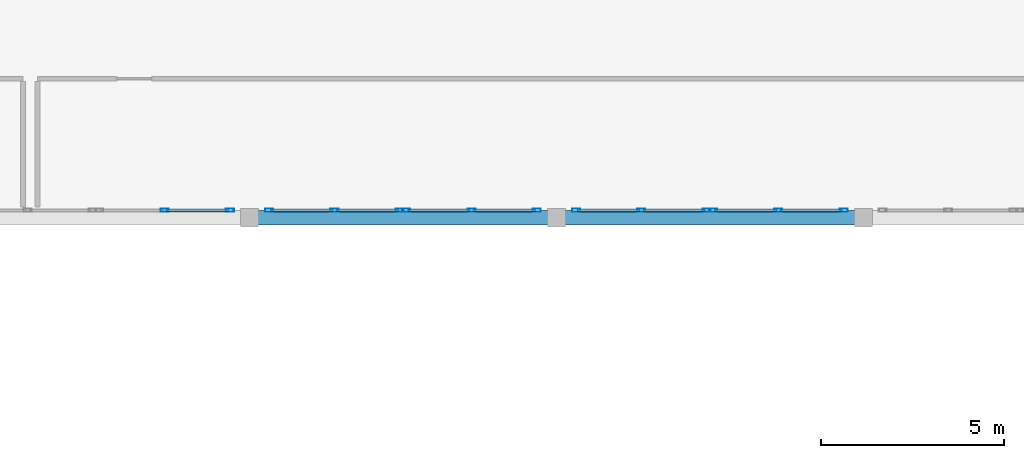
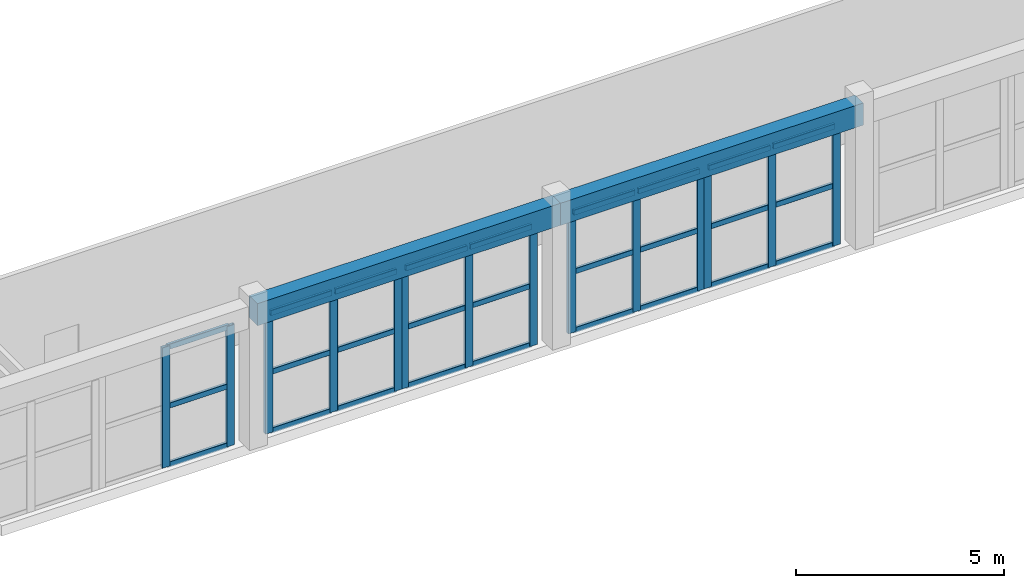
# One storey, part 18 of 92: 41 members, 2 beams, 5 elements without a shape of their own.
"""IFC4 building model written with IfcOpenShell, lengths in metres."""

from ifc_helpers import new_model, si_unit, direction, frame, origin, origin_2d, place, context, subcontext, project, spatial, rectangle, hollow_rectangle, extrude, material, layer, layer_set, material_profile, profile_set, type_object, element, aggregate, save


model = new_model("IFC4")

# Units and contexts
model_context = context("Model", 3, precision=1e-05, world=origin(), true_north=direction((0.0, 1.0)))
body_context = subcontext(model_context, "Body", "Model", "MODEL_VIEW")
ifc_project = project(units=[si_unit("LENGTHUNIT", "METRE"), si_unit("AREAUNIT", "SQUARE_METRE"), si_unit("VOLUMEUNIT", "CUBIC_METRE"), si_unit("PLANEANGLEUNIT", "RADIAN"), si_unit("MASSUNIT", "GRAM", prefix="KILO")], contexts=[model_context])

# Site, building, storey
site_placement = place(None, origin())
site = spatial("IfcSite", under=ifc_project, at=site_placement, CompositionType="ELEMENT")
building_placement = place(site_placement, origin())
building = spatial("IfcBuilding", under=site, at=building_placement, Name="Tarnavel Promenade Courthouse", CompositionType="ELEMENT")
storey_placement = place(building_placement, frame((0.0, 0.0, 5.39990234375)))
storey = spatial("IfcBuildingStorey", under=building, at=storey_placement, Name="L02", CompositionType="ELEMENT", Elevation=5.39990234375)

# Beams
ifc_material_1 = material(Name="Concrete C40/50", Category="concrete")
ifc_material_profile_1 = material_profile(ifc_material_1, rectangle(XDim=0.39990234375, YDim=0.64990234375, at=origin_2d()), Name="RC 400x650")
ifc_profile_set_1 = profile_set([ifc_material_profile_1], Name="Concrete C40/50")
beam_type = type_object("IfcBeamType", Name="Concrete C40/50 BM-RC-400x650 (RC 400x650)", PredefinedType="BEAM", material=ifc_profile_set_1)
beam_1_placement = place(storey_placement, frame((67.199951171875, 46.800048828125, 3.8701171875), z_axis=(1.0, 0.0, 0.0), x_axis=(0.0, 1.0, 0.0)))
element("IfcBeam", 1, at=beam_1_placement, inside=storey, type_object=beam_type, Name="L02 Primary Longitudinal Beam 1111", PredefinedType="BEAM", context=body_context, shape_type="SweptSolid", body=[
    extrude(rectangle(XDim=0.39990234375, YDim=0.64990234375, at=origin_2d()), origin(), (0.0, 0.0, 1.0), 8.400146484375),
])
beam_2_placement = place(storey_placement, frame((75.60009765625, 46.800048828125, 3.8701171875), z_axis=(1.0, 0.0, 0.0), x_axis=(0.0, 1.0, 0.0)))
element("IfcBeam", 2, at=beam_2_placement, inside=storey, type_object=beam_type, Name="L02 Primary Longitudinal Beam 1112", PredefinedType="BEAM", context=body_context, shape_type="SweptSolid", body=[
    extrude(rectangle(XDim=0.39990234375, YDim=0.64990234375, at=origin_2d()), origin(), (0.0, 0.0, 1.0), 8.39990234375),
])

# Curtain wall, members
ifc_material_2 = material(Name="Thermally Broken Anodised Aluminium Curtain Wall System", Category="aluminium")
ifc_layer = layer(ifc_material_2, 0.239990234375)
ifc_layer_set = layer_set([ifc_layer], Name="Thermally Broken Anodised Aluminium Curtain Wall System")
curtain_wall_type = type_object("IfcCurtainWallType", Name="Thermally Broken Aluminium Triple-Glazed Curtain Wall CW-WG-S", PredefinedType="NOTDEFINED", material=ifc_layer_set)
curtain_wall_1_placement = place(storey_placement, origin())
curtain_wall_1 = element("IfcCurtainWall", 3, at=curtain_wall_1_placement, inside=storey, type_object=curtain_wall_type, Name="L02 Winter-Garden South Solar Curtain Wall 068", PredefinedType="NOTDEFINED")
ifc_material_3 = material(Name="Thermally Broken Anodised Aluminium Frame", Category="aluminium")
ifc_material_profile_2 = material_profile(ifc_material_3, hollow_rectangle(XDim=0.090087890625, YDim=0.219970703125, WallThickness=0.0048828125, InnerFilletRadius=0.0048828125, OuterFilletRadius=0.010009765625, at=origin_2d()), Name="CWM 220x90x5")
ifc_profile_set_2 = profile_set([ifc_material_profile_2], Name="Thermally Broken Anodised Aluminium Frame")
member_type_1 = type_object("IfcMemberType", Name="Thermally Broken Anodised Aluminium CWM-175 (CWM 220x90x5)", PredefinedType="MULLION", material=ifc_profile_set_2)
member_1_placement = place(storey_placement, frame((64.875, 47.0, 0.0), z_axis=(0.0, 0.0, 1.0), x_axis=(0.0, 1.0, 0.0)))
member_1 = element("IfcMember", 4, at=member_1_placement, type_object=member_type_1, Name="CW-02 mullion 2", PredefinedType="MULLION", context=body_context, shape_type="SweptSolid", body=[
    extrude(hollow_rectangle(XDim=0.090087890625, YDim=0.219970703125, WallThickness=0.0048828125, InnerFilletRadius=0.0048828125, OuterFilletRadius=0.010009765625, at=origin_2d()), origin(), (0.0, 0.0, 1.0), 3.530029296875),
])
member_2_placement = place(storey_placement, frame((66.6650390625, 47.0, 0.0), z_axis=(0.0, 0.0, 1.0), x_axis=(0.0, 1.0, 0.0)))
member_2 = element("IfcMember", 5, at=member_2_placement, type_object=member_type_1, Name="CW-02 mullion 3", PredefinedType="MULLION", context=body_context, shape_type="SweptSolid", body=[
    extrude(hollow_rectangle(XDim=0.090087890625, YDim=0.219970703125, WallThickness=0.0048828125, InnerFilletRadius=0.0048828125, OuterFilletRadius=0.010009765625, at=origin_2d()), origin(), (0.0, 0.0, 1.0), 3.530029296875),
])

curtain_wall_2_placement = place(storey_placement, origin())
curtain_wall_2 = element("IfcCurtainWall", 6, at=curtain_wall_2_placement, inside=storey, type_object=curtain_wall_type, Name="L02 Winter-Garden South Solar Curtain Wall 069", PredefinedType="NOTDEFINED")
member_3_placement = place(storey_placement, frame((67.735107421875, 47.0, 0.0), z_axis=(0.0, 0.0, 1.0), x_axis=(0.0, 1.0, 0.0)))
member_3 = element("IfcMember", 7, at=member_3_placement, type_object=member_type_1, Name="CW-02 mullion 1", PredefinedType="MULLION", context=body_context, shape_type="SweptSolid", body=[
    extrude(hollow_rectangle(XDim=0.090087890625, YDim=0.219970703125, WallThickness=0.0048828125, InnerFilletRadius=0.0048828125, OuterFilletRadius=0.010009765625, at=origin_2d()), origin(), (0.0, 0.0, 1.0), 3.530029296875),
])
member_4_placement = place(storey_placement, frame((69.52490234375, 47.0, 0.0), z_axis=(0.0, 0.0, 1.0), x_axis=(0.0, 1.0, 0.0)))
member_4 = element("IfcMember", 8, at=member_4_placement, type_object=member_type_1, Name="CW-02 mullion 2", PredefinedType="MULLION", context=body_context, shape_type="SweptSolid", body=[
    extrude(hollow_rectangle(XDim=0.090087890625, YDim=0.219970703125, WallThickness=0.0048828125, InnerFilletRadius=0.0048828125, OuterFilletRadius=0.010009765625, at=origin_2d()), origin(), (0.0, 0.0, 1.0), 3.530029296875),
])
member_5_placement = place(storey_placement, frame((71.31494140625, 47.0, 0.0), z_axis=(0.0, 0.0, 1.0), x_axis=(0.0, 1.0, 0.0)))
member_5 = element("IfcMember", 9, at=member_5_placement, type_object=member_type_1, Name="CW-02 mullion 3", PredefinedType="MULLION", context=body_context, shape_type="SweptSolid", body=[
    extrude(hollow_rectangle(XDim=0.090087890625, YDim=0.219970703125, WallThickness=0.0048828125, InnerFilletRadius=0.0048828125, OuterFilletRadius=0.010009765625, at=origin_2d()), origin(), (0.0, 0.0, 1.0), 3.530029296875),
])

curtain_wall_3_placement = place(storey_placement, origin())
curtain_wall_3 = element("IfcCurtainWall", 10, at=curtain_wall_3_placement, inside=storey, type_object=curtain_wall_type, Name="L02 Winter-Garden South Solar Curtain Wall 070", PredefinedType="NOTDEFINED")
member_6_placement = place(storey_placement, frame((71.485107421875, 47.0, 0.0), z_axis=(0.0, 0.0, 1.0), x_axis=(0.0, 1.0, 0.0)))
member_6 = element("IfcMember", 11, at=member_6_placement, type_object=member_type_1, Name="CW-02 mullion 1", PredefinedType="MULLION", context=body_context, shape_type="SweptSolid", body=[
    extrude(hollow_rectangle(XDim=0.090087890625, YDim=0.219970703125, WallThickness=0.0048828125, InnerFilletRadius=0.0048828125, OuterFilletRadius=0.010009765625, at=origin_2d()), origin(), (0.0, 0.0, 1.0), 3.530029296875),
])
member_7_placement = place(storey_placement, frame((73.27490234375, 47.0, 0.0), z_axis=(0.0, 0.0, 1.0), x_axis=(0.0, 1.0, 0.0)))
member_7 = element("IfcMember", 12, at=member_7_placement, type_object=member_type_1, Name="CW-02 mullion 2", PredefinedType="MULLION", context=body_context, shape_type="SweptSolid", body=[
    extrude(hollow_rectangle(XDim=0.090087890625, YDim=0.219970703125, WallThickness=0.0048828125, InnerFilletRadius=0.0048828125, OuterFilletRadius=0.010009765625, at=origin_2d()), origin(), (0.0, 0.0, 1.0), 3.530029296875),
])
member_8_placement = place(storey_placement, frame((75.06494140625, 47.0, 0.0), z_axis=(0.0, 0.0, 1.0), x_axis=(0.0, 1.0, 0.0)))
member_8 = element("IfcMember", 13, at=member_8_placement, type_object=member_type_1, Name="CW-02 mullion 3", PredefinedType="MULLION", context=body_context, shape_type="SweptSolid", body=[
    extrude(hollow_rectangle(XDim=0.090087890625, YDim=0.219970703125, WallThickness=0.0048828125, InnerFilletRadius=0.0048828125, OuterFilletRadius=0.010009765625, at=origin_2d()), origin(), (0.0, 0.0, 1.0), 3.530029296875),
])

curtain_wall_4_placement = place(storey_placement, origin())
curtain_wall_4 = element("IfcCurtainWall", 14, at=curtain_wall_4_placement, inside=storey, type_object=curtain_wall_type, Name="L02 Winter-Garden South Solar Curtain Wall 071", PredefinedType="NOTDEFINED")
member_9_placement = place(storey_placement, frame((76.135009765625, 47.0, 0.0), z_axis=(0.0, 0.0, 1.0), x_axis=(0.0, 1.0, 0.0)))
member_9 = element("IfcMember", 15, at=member_9_placement, type_object=member_type_1, Name="CW-02 mullion 1", PredefinedType="MULLION", context=body_context, shape_type="SweptSolid", body=[
    extrude(hollow_rectangle(XDim=0.090087890625, YDim=0.219970703125, WallThickness=0.0048828125, InnerFilletRadius=0.0048828125, OuterFilletRadius=0.010009765625, at=origin_2d()), origin(), (0.0, 0.0, 1.0), 3.530029296875),
])
member_10_placement = place(storey_placement, frame((77.925048828125, 47.0, 0.0), z_axis=(0.0, 0.0, 1.0), x_axis=(0.0, 1.0, 0.0)))
member_10 = element("IfcMember", 16, at=member_10_placement, type_object=member_type_1, Name="CW-02 mullion 2", PredefinedType="MULLION", context=body_context, shape_type="SweptSolid", body=[
    extrude(hollow_rectangle(XDim=0.090087890625, YDim=0.219970703125, WallThickness=0.0048828125, InnerFilletRadius=0.0048828125, OuterFilletRadius=0.010009765625, at=origin_2d()), origin(), (0.0, 0.0, 1.0), 3.530029296875),
])
member_11_placement = place(storey_placement, frame((79.715087890625, 47.0, 0.0), z_axis=(0.0, 0.0, 1.0), x_axis=(0.0, 1.0, 0.0)))
member_11 = element("IfcMember", 17, at=member_11_placement, type_object=member_type_1, Name="CW-02 mullion 3", PredefinedType="MULLION", context=body_context, shape_type="SweptSolid", body=[
    extrude(hollow_rectangle(XDim=0.090087890625, YDim=0.219970703125, WallThickness=0.0048828125, InnerFilletRadius=0.0048828125, OuterFilletRadius=0.010009765625, at=origin_2d()), origin(), (0.0, 0.0, 1.0), 3.530029296875),
])

curtain_wall_5_placement = place(storey_placement, origin())
curtain_wall_5 = element("IfcCurtainWall", 18, at=curtain_wall_5_placement, inside=storey, type_object=curtain_wall_type, Name="L02 Winter-Garden South Solar Curtain Wall 072", PredefinedType="NOTDEFINED")
member_12_placement = place(storey_placement, frame((79.885009765625, 47.0, 0.0), z_axis=(0.0, 0.0, 1.0), x_axis=(0.0, 1.0, 0.0)))
member_12 = element("IfcMember", 19, at=member_12_placement, type_object=member_type_1, Name="CW-02 mullion 1", PredefinedType="MULLION", context=body_context, shape_type="SweptSolid", body=[
    extrude(hollow_rectangle(XDim=0.090087890625, YDim=0.219970703125, WallThickness=0.0048828125, InnerFilletRadius=0.0048828125, OuterFilletRadius=0.010009765625, at=origin_2d()), origin(), (0.0, 0.0, 1.0), 3.530029296875),
])
member_13_placement = place(storey_placement, frame((81.675048828125, 47.0, 0.0), z_axis=(0.0, 0.0, 1.0), x_axis=(0.0, 1.0, 0.0)))
member_13 = element("IfcMember", 20, at=member_13_placement, type_object=member_type_1, Name="CW-02 mullion 2", PredefinedType="MULLION", context=body_context, shape_type="SweptSolid", body=[
    extrude(hollow_rectangle(XDim=0.090087890625, YDim=0.219970703125, WallThickness=0.0048828125, InnerFilletRadius=0.0048828125, OuterFilletRadius=0.010009765625, at=origin_2d()), origin(), (0.0, 0.0, 1.0), 3.530029296875),
])
member_14_placement = place(storey_placement, frame((83.465087890625, 47.0, 0.0), z_axis=(0.0, 0.0, 1.0), x_axis=(0.0, 1.0, 0.0)))
member_14 = element("IfcMember", 21, at=member_14_placement, type_object=member_type_1, Name="CW-02 mullion 3", PredefinedType="MULLION", context=body_context, shape_type="SweptSolid", body=[
    extrude(hollow_rectangle(XDim=0.090087890625, YDim=0.219970703125, WallThickness=0.0048828125, InnerFilletRadius=0.0048828125, OuterFilletRadius=0.010009765625, at=origin_2d()), origin(), (0.0, 0.0, 1.0), 3.530029296875),
])

# Member
ifc_material_profile_3 = material_profile(ifc_material_3, hollow_rectangle(XDim=0.080078125, YDim=0.159912109375, WallThickness=0.0048828125, InnerFilletRadius=0.0048828125, OuterFilletRadius=0.010009765625, at=origin_2d()), Name="CWT 160x80x5")
ifc_profile_set_3 = profile_set([ifc_material_profile_3], Name="Thermally Broken Anodised Aluminium Frame")
member_type_2 = type_object("IfcMemberType", Name="Thermally Broken Anodised Aluminium CWT-145 (CWT 160x80x5)", PredefinedType="USERDEFINED", material=ifc_profile_set_3)
member_15_placement = place(storey_placement, frame((64.919921875, 47.0, 0.0400390625), z_axis=(1.0, 0.0, 0.0), x_axis=(0.0, 1.0, 0.0)))
member_15 = element("IfcMember", 22, at=member_15_placement, type_object=member_type_2, Name="CW-02 transom 2.1", ObjectType="TRANSOM", PredefinedType="USERDEFINED", context=body_context, shape_type="SweptSolid", body=[
    extrude(hollow_rectangle(XDim=0.080078125, YDim=0.159912109375, WallThickness=0.0048828125, InnerFilletRadius=0.0048828125, OuterFilletRadius=0.010009765625, at=origin_2d()), origin(), (0.0, 0.0, 1.0), 1.7001953125),
])

member_16_placement = place(storey_placement, frame((64.919921875, 47.0, 1.76513671875), z_axis=(1.0, 0.0, 0.0), x_axis=(0.0, 1.0, 0.0)))
member_16 = element("IfcMember", 23, at=member_16_placement, type_object=member_type_2, Name="CW-02 transom 2.2", ObjectType="TRANSOM", PredefinedType="USERDEFINED", context=body_context, shape_type="SweptSolid", body=[
    extrude(hollow_rectangle(XDim=0.080078125, YDim=0.159912109375, WallThickness=0.0048828125, InnerFilletRadius=0.0048828125, OuterFilletRadius=0.010009765625, at=origin_2d()), origin(), (0.0, 0.0, 1.0), 1.7001953125),
])

member_17_placement = place(storey_placement, frame((64.919921875, 47.0, 3.489990234375), z_axis=(1.0, 0.0, 0.0), x_axis=(0.0, 1.0, 0.0)))
member_17 = element("IfcMember", 24, at=member_17_placement, type_object=member_type_2, Name="CW-02 transom 2.3", ObjectType="TRANSOM", PredefinedType="USERDEFINED", context=body_context, shape_type="SweptSolid", body=[
    extrude(hollow_rectangle(XDim=0.080078125, YDim=0.159912109375, WallThickness=0.0048828125, InnerFilletRadius=0.0048828125, OuterFilletRadius=0.010009765625, at=origin_2d()), origin(), (0.0, 0.0, 1.0), 1.7001953125),
])

aggregate(curtain_wall_1, [member_1, member_2, member_15, member_16, member_17])

member_18_placement = place(storey_placement, frame((67.780029296875, 47.0, 0.0400390625), z_axis=(1.0, 0.0, 0.0), x_axis=(0.0, 1.0, 0.0)))
member_18 = element("IfcMember", 25, at=member_18_placement, type_object=member_type_2, Name="CW-02 transom 1.1", ObjectType="TRANSOM", PredefinedType="USERDEFINED", context=body_context, shape_type="SweptSolid", body=[
    extrude(hollow_rectangle(XDim=0.080078125, YDim=0.159912109375, WallThickness=0.0048828125, InnerFilletRadius=0.0048828125, OuterFilletRadius=0.010009765625, at=origin_2d()), origin(), (0.0, 0.0, 1.0), 1.699951171875),
])

member_19_placement = place(storey_placement, frame((67.780029296875, 47.0, 1.76513671875), z_axis=(1.0, 0.0, 0.0), x_axis=(0.0, 1.0, 0.0)))
member_19 = element("IfcMember", 26, at=member_19_placement, type_object=member_type_2, Name="CW-02 transom 1.2", ObjectType="TRANSOM", PredefinedType="USERDEFINED", context=body_context, shape_type="SweptSolid", body=[
    extrude(hollow_rectangle(XDim=0.080078125, YDim=0.159912109375, WallThickness=0.0048828125, InnerFilletRadius=0.0048828125, OuterFilletRadius=0.010009765625, at=origin_2d()), origin(), (0.0, 0.0, 1.0), 1.699951171875),
])

member_20_placement = place(storey_placement, frame((67.780029296875, 47.0, 3.489990234375), z_axis=(1.0, 0.0, 0.0), x_axis=(0.0, 1.0, 0.0)))
member_20 = element("IfcMember", 27, at=member_20_placement, type_object=member_type_2, Name="CW-02 transom 1.3", ObjectType="TRANSOM", PredefinedType="USERDEFINED", context=body_context, shape_type="SweptSolid", body=[
    extrude(hollow_rectangle(XDim=0.080078125, YDim=0.159912109375, WallThickness=0.0048828125, InnerFilletRadius=0.0048828125, OuterFilletRadius=0.010009765625, at=origin_2d()), origin(), (0.0, 0.0, 1.0), 1.699951171875),
])

member_21_placement = place(storey_placement, frame((69.570068359375, 47.0, 0.0400390625), z_axis=(1.0, 0.0, 0.0), x_axis=(0.0, 1.0, 0.0)))
member_21 = element("IfcMember", 28, at=member_21_placement, type_object=member_type_2, Name="CW-02 transom 2.1", ObjectType="TRANSOM", PredefinedType="USERDEFINED", context=body_context, shape_type="SweptSolid", body=[
    extrude(hollow_rectangle(XDim=0.080078125, YDim=0.159912109375, WallThickness=0.0048828125, InnerFilletRadius=0.0048828125, OuterFilletRadius=0.010009765625, at=origin_2d()), origin(), (0.0, 0.0, 1.0), 1.699951171875),
])

member_22_placement = place(storey_placement, frame((69.570068359375, 47.0, 1.76513671875), z_axis=(1.0, 0.0, 0.0), x_axis=(0.0, 1.0, 0.0)))
member_22 = element("IfcMember", 29, at=member_22_placement, type_object=member_type_2, Name="CW-02 transom 2.2", ObjectType="TRANSOM", PredefinedType="USERDEFINED", context=body_context, shape_type="SweptSolid", body=[
    extrude(hollow_rectangle(XDim=0.080078125, YDim=0.159912109375, WallThickness=0.0048828125, InnerFilletRadius=0.0048828125, OuterFilletRadius=0.010009765625, at=origin_2d()), origin(), (0.0, 0.0, 1.0), 1.699951171875),
])

member_23_placement = place(storey_placement, frame((69.570068359375, 47.0, 3.489990234375), z_axis=(1.0, 0.0, 0.0), x_axis=(0.0, 1.0, 0.0)))
member_23 = element("IfcMember", 30, at=member_23_placement, type_object=member_type_2, Name="CW-02 transom 2.3", ObjectType="TRANSOM", PredefinedType="USERDEFINED", context=body_context, shape_type="SweptSolid", body=[
    extrude(hollow_rectangle(XDim=0.080078125, YDim=0.159912109375, WallThickness=0.0048828125, InnerFilletRadius=0.0048828125, OuterFilletRadius=0.010009765625, at=origin_2d()), origin(), (0.0, 0.0, 1.0), 1.699951171875),
])

aggregate(curtain_wall_2, [member_3, member_4, member_5, member_18, member_19, member_20, member_21, member_22, member_23])

member_24_placement = place(storey_placement, frame((71.530029296875, 47.0, 0.0400390625), z_axis=(1.0, 0.0, 0.0), x_axis=(0.0, 1.0, 0.0)))
member_24 = element("IfcMember", 31, at=member_24_placement, type_object=member_type_2, Name="CW-02 transom 1.1", ObjectType="TRANSOM", PredefinedType="USERDEFINED", context=body_context, shape_type="SweptSolid", body=[
    extrude(hollow_rectangle(XDim=0.080078125, YDim=0.159912109375, WallThickness=0.0048828125, InnerFilletRadius=0.0048828125, OuterFilletRadius=0.010009765625, at=origin_2d()), origin(), (0.0, 0.0, 1.0), 1.699951171875),
])

member_25_placement = place(storey_placement, frame((71.530029296875, 47.0, 1.76513671875), z_axis=(1.0, 0.0, 0.0), x_axis=(0.0, 1.0, 0.0)))
member_25 = element("IfcMember", 32, at=member_25_placement, type_object=member_type_2, Name="CW-02 transom 1.2", ObjectType="TRANSOM", PredefinedType="USERDEFINED", context=body_context, shape_type="SweptSolid", body=[
    extrude(hollow_rectangle(XDim=0.080078125, YDim=0.159912109375, WallThickness=0.0048828125, InnerFilletRadius=0.0048828125, OuterFilletRadius=0.010009765625, at=origin_2d()), origin(), (0.0, 0.0, 1.0), 1.699951171875),
])

member_26_placement = place(storey_placement, frame((71.530029296875, 47.0, 3.489990234375), z_axis=(1.0, 0.0, 0.0), x_axis=(0.0, 1.0, 0.0)))
member_26 = element("IfcMember", 33, at=member_26_placement, type_object=member_type_2, Name="CW-02 transom 1.3", ObjectType="TRANSOM", PredefinedType="USERDEFINED", context=body_context, shape_type="SweptSolid", body=[
    extrude(hollow_rectangle(XDim=0.080078125, YDim=0.159912109375, WallThickness=0.0048828125, InnerFilletRadius=0.0048828125, OuterFilletRadius=0.010009765625, at=origin_2d()), origin(), (0.0, 0.0, 1.0), 1.699951171875),
])

member_27_placement = place(storey_placement, frame((73.320068359375, 47.0, 0.0400390625), z_axis=(1.0, 0.0, 0.0), x_axis=(0.0, 1.0, 0.0)))
member_27 = element("IfcMember", 34, at=member_27_placement, type_object=member_type_2, Name="CW-02 transom 2.1", ObjectType="TRANSOM", PredefinedType="USERDEFINED", context=body_context, shape_type="SweptSolid", body=[
    extrude(hollow_rectangle(XDim=0.080078125, YDim=0.159912109375, WallThickness=0.0048828125, InnerFilletRadius=0.0048828125, OuterFilletRadius=0.010009765625, at=origin_2d()), origin(), (0.0, 0.0, 1.0), 1.699951171875),
])

member_28_placement = place(storey_placement, frame((73.320068359375, 47.0, 1.76513671875), z_axis=(1.0, 0.0, 0.0), x_axis=(0.0, 1.0, 0.0)))
member_28 = element("IfcMember", 35, at=member_28_placement, type_object=member_type_2, Name="CW-02 transom 2.2", ObjectType="TRANSOM", PredefinedType="USERDEFINED", context=body_context, shape_type="SweptSolid", body=[
    extrude(hollow_rectangle(XDim=0.080078125, YDim=0.159912109375, WallThickness=0.0048828125, InnerFilletRadius=0.0048828125, OuterFilletRadius=0.010009765625, at=origin_2d()), origin(), (0.0, 0.0, 1.0), 1.699951171875),
])

member_29_placement = place(storey_placement, frame((73.320068359375, 47.0, 3.489990234375), z_axis=(1.0, 0.0, 0.0), x_axis=(0.0, 1.0, 0.0)))
member_29 = element("IfcMember", 36, at=member_29_placement, type_object=member_type_2, Name="CW-02 transom 2.3", ObjectType="TRANSOM", PredefinedType="USERDEFINED", context=body_context, shape_type="SweptSolid", body=[
    extrude(hollow_rectangle(XDim=0.080078125, YDim=0.159912109375, WallThickness=0.0048828125, InnerFilletRadius=0.0048828125, OuterFilletRadius=0.010009765625, at=origin_2d()), origin(), (0.0, 0.0, 1.0), 1.699951171875),
])

aggregate(curtain_wall_3, [member_6, member_7, member_8, member_24, member_25, member_26, member_27, member_28, member_29])

member_30_placement = place(storey_placement, frame((76.179931640625, 47.0, 0.0400390625), z_axis=(1.0, 0.0, 0.0), x_axis=(0.0, 1.0, 0.0)))
member_30 = element("IfcMember", 37, at=member_30_placement, type_object=member_type_2, Name="CW-02 transom 1.1", ObjectType="TRANSOM", PredefinedType="USERDEFINED", context=body_context, shape_type="SweptSolid", body=[
    extrude(hollow_rectangle(XDim=0.080078125, YDim=0.159912109375, WallThickness=0.0048828125, InnerFilletRadius=0.0048828125, OuterFilletRadius=0.010009765625, at=origin_2d()), origin(), (0.0, 0.0, 1.0), 1.699951171875),
])

member_31_placement = place(storey_placement, frame((76.179931640625, 47.0, 1.76513671875), z_axis=(1.0, 0.0, 0.0), x_axis=(0.0, 1.0, 0.0)))
member_31 = element("IfcMember", 38, at=member_31_placement, type_object=member_type_2, Name="CW-02 transom 1.2", ObjectType="TRANSOM", PredefinedType="USERDEFINED", context=body_context, shape_type="SweptSolid", body=[
    extrude(hollow_rectangle(XDim=0.080078125, YDim=0.159912109375, WallThickness=0.0048828125, InnerFilletRadius=0.0048828125, OuterFilletRadius=0.010009765625, at=origin_2d()), origin(), (0.0, 0.0, 1.0), 1.699951171875),
])

member_32_placement = place(storey_placement, frame((76.179931640625, 47.0, 3.489990234375), z_axis=(1.0, 0.0, 0.0), x_axis=(0.0, 1.0, 0.0)))
member_32 = element("IfcMember", 39, at=member_32_placement, type_object=member_type_2, Name="CW-02 transom 1.3", ObjectType="TRANSOM", PredefinedType="USERDEFINED", context=body_context, shape_type="SweptSolid", body=[
    extrude(hollow_rectangle(XDim=0.080078125, YDim=0.159912109375, WallThickness=0.0048828125, InnerFilletRadius=0.0048828125, OuterFilletRadius=0.010009765625, at=origin_2d()), origin(), (0.0, 0.0, 1.0), 1.699951171875),
])

member_33_placement = place(storey_placement, frame((77.969970703125, 47.0, 0.0400390625), z_axis=(1.0, 0.0, 0.0), x_axis=(0.0, 1.0, 0.0)))
member_33 = element("IfcMember", 40, at=member_33_placement, type_object=member_type_2, Name="CW-02 transom 2.1", ObjectType="TRANSOM", PredefinedType="USERDEFINED", context=body_context, shape_type="SweptSolid", body=[
    extrude(hollow_rectangle(XDim=0.080078125, YDim=0.159912109375, WallThickness=0.0048828125, InnerFilletRadius=0.0048828125, OuterFilletRadius=0.010009765625, at=origin_2d()), origin(), (0.0, 0.0, 1.0), 1.699951171875),
])

member_34_placement = place(storey_placement, frame((77.969970703125, 47.0, 1.76513671875), z_axis=(1.0, 0.0, 0.0), x_axis=(0.0, 1.0, 0.0)))
member_34 = element("IfcMember", 41, at=member_34_placement, type_object=member_type_2, Name="CW-02 transom 2.2", ObjectType="TRANSOM", PredefinedType="USERDEFINED", context=body_context, shape_type="SweptSolid", body=[
    extrude(hollow_rectangle(XDim=0.080078125, YDim=0.159912109375, WallThickness=0.0048828125, InnerFilletRadius=0.0048828125, OuterFilletRadius=0.010009765625, at=origin_2d()), origin(), (0.0, 0.0, 1.0), 1.699951171875),
])

member_35_placement = place(storey_placement, frame((77.969970703125, 47.0, 3.489990234375), z_axis=(1.0, 0.0, 0.0), x_axis=(0.0, 1.0, 0.0)))
member_35 = element("IfcMember", 42, at=member_35_placement, type_object=member_type_2, Name="CW-02 transom 2.3", ObjectType="TRANSOM", PredefinedType="USERDEFINED", context=body_context, shape_type="SweptSolid", body=[
    extrude(hollow_rectangle(XDim=0.080078125, YDim=0.159912109375, WallThickness=0.0048828125, InnerFilletRadius=0.0048828125, OuterFilletRadius=0.010009765625, at=origin_2d()), origin(), (0.0, 0.0, 1.0), 1.699951171875),
])

aggregate(curtain_wall_4, [member_9, member_10, member_11, member_30, member_31, member_32, member_33, member_34, member_35])

member_36_placement = place(storey_placement, frame((79.929931640625, 47.0, 0.0400390625), z_axis=(1.0, 0.0, 0.0), x_axis=(0.0, 1.0, 0.0)))
member_36 = element("IfcMember", 43, at=member_36_placement, type_object=member_type_2, Name="CW-02 transom 1.1", ObjectType="TRANSOM", PredefinedType="USERDEFINED", context=body_context, shape_type="SweptSolid", body=[
    extrude(hollow_rectangle(XDim=0.080078125, YDim=0.159912109375, WallThickness=0.0048828125, InnerFilletRadius=0.0048828125, OuterFilletRadius=0.010009765625, at=origin_2d()), origin(), (0.0, 0.0, 1.0), 1.699951171875),
])

member_37_placement = place(storey_placement, frame((79.929931640625, 47.0, 1.76513671875), z_axis=(1.0, 0.0, 0.0), x_axis=(0.0, 1.0, 0.0)))
member_37 = element("IfcMember", 44, at=member_37_placement, type_object=member_type_2, Name="CW-02 transom 1.2", ObjectType="TRANSOM", PredefinedType="USERDEFINED", context=body_context, shape_type="SweptSolid", body=[
    extrude(hollow_rectangle(XDim=0.080078125, YDim=0.159912109375, WallThickness=0.0048828125, InnerFilletRadius=0.0048828125, OuterFilletRadius=0.010009765625, at=origin_2d()), origin(), (0.0, 0.0, 1.0), 1.699951171875),
])

member_38_placement = place(storey_placement, frame((79.929931640625, 47.0, 3.489990234375), z_axis=(1.0, 0.0, 0.0), x_axis=(0.0, 1.0, 0.0)))
member_38 = element("IfcMember", 45, at=member_38_placement, type_object=member_type_2, Name="CW-02 transom 1.3", ObjectType="TRANSOM", PredefinedType="USERDEFINED", context=body_context, shape_type="SweptSolid", body=[
    extrude(hollow_rectangle(XDim=0.080078125, YDim=0.159912109375, WallThickness=0.0048828125, InnerFilletRadius=0.0048828125, OuterFilletRadius=0.010009765625, at=origin_2d()), origin(), (0.0, 0.0, 1.0), 1.699951171875),
])

member_39_placement = place(storey_placement, frame((81.719970703125, 47.0, 0.0400390625), z_axis=(1.0, 0.0, 0.0), x_axis=(0.0, 1.0, 0.0)))
member_39 = element("IfcMember", 46, at=member_39_placement, type_object=member_type_2, Name="CW-02 transom 2.1", ObjectType="TRANSOM", PredefinedType="USERDEFINED", context=body_context, shape_type="SweptSolid", body=[
    extrude(hollow_rectangle(XDim=0.080078125, YDim=0.159912109375, WallThickness=0.0048828125, InnerFilletRadius=0.0048828125, OuterFilletRadius=0.010009765625, at=origin_2d()), origin(), (0.0, 0.0, 1.0), 1.699951171875),
])

member_40_placement = place(storey_placement, frame((81.719970703125, 47.0, 1.76513671875), z_axis=(1.0, 0.0, 0.0), x_axis=(0.0, 1.0, 0.0)))
member_40 = element("IfcMember", 47, at=member_40_placement, type_object=member_type_2, Name="CW-02 transom 2.2", ObjectType="TRANSOM", PredefinedType="USERDEFINED", context=body_context, shape_type="SweptSolid", body=[
    extrude(hollow_rectangle(XDim=0.080078125, YDim=0.159912109375, WallThickness=0.0048828125, InnerFilletRadius=0.0048828125, OuterFilletRadius=0.010009765625, at=origin_2d()), origin(), (0.0, 0.0, 1.0), 1.699951171875),
])

member_41_placement = place(storey_placement, frame((81.719970703125, 47.0, 3.489990234375), z_axis=(1.0, 0.0, 0.0), x_axis=(0.0, 1.0, 0.0)))
member_41 = element("IfcMember", 48, at=member_41_placement, type_object=member_type_2, Name="CW-02 transom 2.3", ObjectType="TRANSOM", PredefinedType="USERDEFINED", context=body_context, shape_type="SweptSolid", body=[
    extrude(hollow_rectangle(XDim=0.080078125, YDim=0.159912109375, WallThickness=0.0048828125, InnerFilletRadius=0.0048828125, OuterFilletRadius=0.010009765625, at=origin_2d()), origin(), (0.0, 0.0, 1.0), 1.699951171875),
])

aggregate(curtain_wall_5, [member_12, member_13, member_14, member_36, member_37, member_38, member_39, member_40, member_41])

save(model, "model.ifc")
